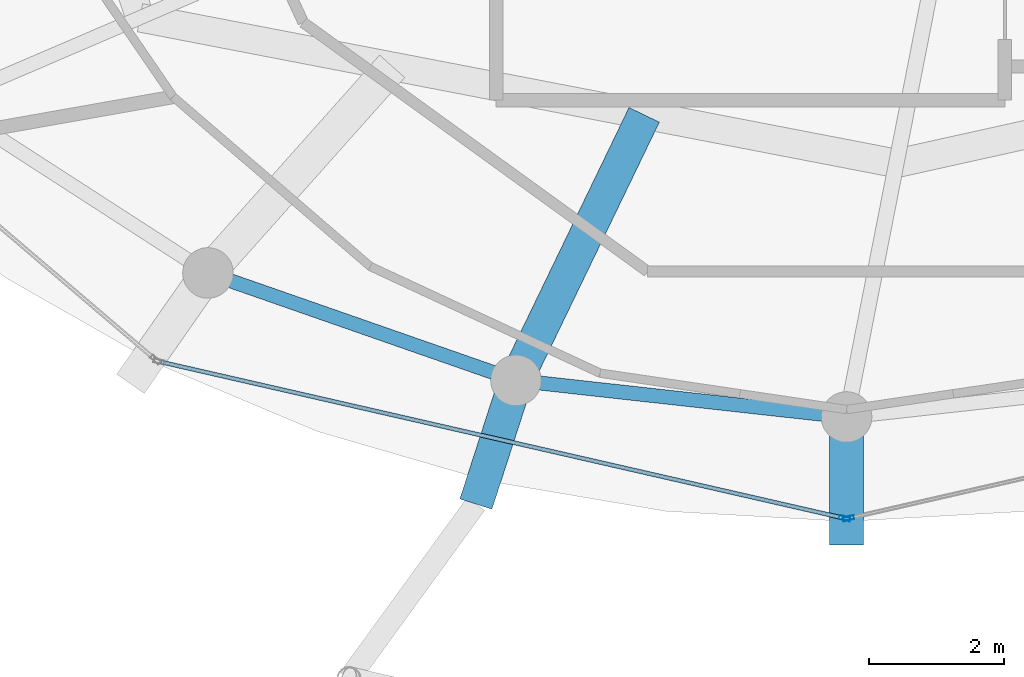
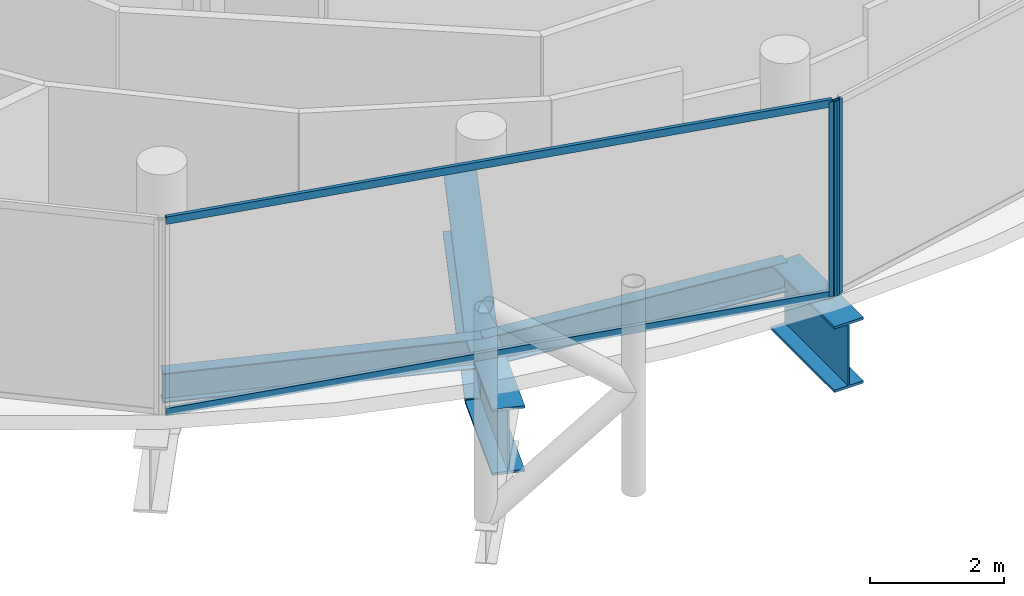
# One storey, part 4 of 25: 5 beams, 4 members, 2 elements without a shape of their own.
"""IFC4 building model written with IfcOpenShell, lengths in metres."""

import ifcopenshell
import ifcopenshell.guid

model = None  # the IFC model being written
_history = None  # IfcOwnerHistory: only IFC2X3 demands one
_inside = {}  # id of a spatial element -> (the spatial element, [elements in it])
_under = {}  # id of a project, library or spatial element -> (it, [spatial elements below it])
_declared = {}  # id of a project -> (the project, [libraries it declares])
_typed = {}  # id of a type object -> (the type object, [elements of that type])
_made_of = {}  # id of a material, layer set ... -> (it, [elements and type objects made of it])


def new_model(schema):
    """Start an empty IFC model of exactly this schema.

    Asked for "IFC4X3", IfcOpenShell would pick the latest addendum, in which some entities
    have other attributes; the version numbers below select the first issue.
    IFC2X3 requires an IfcOwnerHistory on every rooted entity: one is made here for all.
    """
    global model, _history
    if schema == "IFC4X3":
        model = ifcopenshell.file(schema_version=(4, 3, 0, 0))
    else:
        model = ifcopenshell.file(schema=schema)
    _inside.clear()
    _under.clear()
    _declared.clear()
    _typed.clear()
    _made_of.clear()
    _history = None
    if model.schema == "IFC2X3":
        org = make("IfcOrganization", Name="unknown")
        user = make(
            "IfcPersonAndOrganization",
            ThePerson=make("IfcPerson", FamilyName="unknown"),
            TheOrganization=org,
        )
        app = make(
            "IfcApplication",
            ApplicationDeveloper=org,
            Version="unknown",
            ApplicationFullName="unknown",
            ApplicationIdentifier="unknown",
        )
        _history = make(
            "IfcOwnerHistory",
            OwningUser=user,
            OwningApplication=app,
            ChangeAction="ADDED",
            CreationDate=0,
        )
    return model


def make(cls, **values):
    """One entity of the class cls with the attributes given. An attribute that is None is left unset."""
    return model.create_entity(
        cls, **{name: value for name, value in values.items() if value is not None}
    )


def rooted(cls, **values):
    """An entity with a GlobalId (a new one), such as an element, a storey or a relation."""
    return make(cls, GlobalId=ifcopenshell.guid.new(), OwnerHistory=_history, **values)


def si_unit(unit_type, name, prefix=None):
    """IfcSIUnit, for example si_unit("LENGTHUNIT", "METRE", prefix="MILLI")."""
    return make("IfcSIUnit", UnitType=unit_type, Prefix=prefix, Name=name)


def assignment(units):
    """IfcUnitAssignment: the units of a project."""
    return None if units is None else make("IfcUnitAssignment", Units=units)


def point(xyz):
    """IfcCartesianPoint."""
    return None if xyz is None else make("IfcCartesianPoint", Coordinates=xyz)


def direction(xyz):
    """IfcDirection."""
    return None if xyz is None else make("IfcDirection", DirectionRatios=xyz)


def frame(location, z_axis=None, x_axis=None):
    """IfcAxis2Placement3D, a coordinate frame: its origin and axes. An axis left out is left unset."""
    return make(
        "IfcAxis2Placement3D",
        Location=point(location),
        Axis=direction(z_axis),
        RefDirection=direction(x_axis),
    )


def frame_2d(location, x_axis=None):
    """IfcAxis2Placement2D, a coordinate frame in the plane: its origin and x axis."""
    return make(
        "IfcAxis2Placement2D", Location=point(location), RefDirection=direction(x_axis)
    )


def origin():
    """The frame at (0, 0, 0) with its axes left unset."""
    return frame((0.0, 0.0, 0.0))


def origin_2d():
    """The frame at (0, 0) in the plane with its x axis left unset."""
    return frame_2d((0.0, 0.0))


def place(relative_to, where):
    """IfcLocalPlacement: puts the frame where relative to a parent placement (None: the world)."""
    return make(
        "IfcLocalPlacement", PlacementRelTo=relative_to, RelativePlacement=where
    )


def context(
    kind, dimensions, precision=None, world=None, true_north=None, identifier=None
):
    """IfcGeometricRepresentationContext, for example the 3D "Model" context."""
    return make(
        "IfcGeometricRepresentationContext",
        ContextIdentifier=identifier,
        ContextType=kind,
        CoordinateSpaceDimension=dimensions,
        Precision=precision,
        WorldCoordinateSystem=world,
        TrueNorth=true_north,
    )


def subcontext(parent, identifier, kind, view, scale=None):
    """IfcGeometricRepresentationSubContext, for example "Body" below "Model"."""
    return make(
        "IfcGeometricRepresentationSubContext",
        ContextIdentifier=identifier,
        ContextType=kind,
        ParentContext=parent,
        TargetScale=scale,
        TargetView=view,
    )


def project(units=None, contexts=None):
    """IfcProject with its units and contexts."""
    return rooted(
        "IfcProject",
        Name="project",
        RepresentationContexts=contexts,
        UnitsInContext=assignment(units),
    )


def spatial(cls, under=None, at=None, **own):
    """A site, building, storey or space (cls), placed at a placement, below another one or the project."""
    s = rooted(cls, ObjectPlacement=at, **own)
    if under is not None:
        _under.setdefault(under.id(), (under, []))[1].append(s)
    return s


def profile(cls, at=None, kind="AREA", **sizes):
    """A parametric profile (cls). Its sizes go by their IFC names, for example OverallWidth=200.0."""
    return make(cls, ProfileType=kind, Position=at, **sizes)


def hollow_rectangle(**sizes):
    """IfcRectangleHollowProfileDef."""
    return profile("IfcRectangleHollowProfileDef", **sizes)


def i_section(**sizes):
    """IfcIShapeProfileDef."""
    return profile("IfcIShapeProfileDef", **sizes)


def extrude(swept, where, along, depth):
    """IfcExtrudedAreaSolid: the profile swept, set in the frame where, extruded along a direction by depth."""
    return make(
        "IfcExtrudedAreaSolid",
        SweptArea=swept,
        Position=where,
        ExtrudedDirection=direction(along),
        Depth=depth,
    )


def shape(context_of_items, identifier, shape_type, items):
    """IfcShapeRepresentation: the items that make up one representation, for example the "Body"."""
    return make(
        "IfcShapeRepresentation",
        ContextOfItems=context_of_items,
        RepresentationIdentifier=identifier,
        RepresentationType=shape_type,
        Items=items,
    )


def material(Name=None, Category=None):
    """IfcMaterial."""
    return make("IfcMaterial", Name=Name, Category=Category)


def layer(
    of_material, thickness, ventilated=None, Name=None, Category=None, Priority=None
):
    """IfcMaterialLayer: one layer of a wall or slab, of a material (None: an air gap)."""
    return make(
        "IfcMaterialLayer",
        Material=of_material,
        LayerThickness=thickness,
        IsVentilated=ventilated,
        Name=Name,
        Category=Category,
        Priority=Priority,
    )


def layer_set(layers, Name=None):
    """IfcMaterialLayerSet."""
    return make("IfcMaterialLayerSet", MaterialLayers=layers, LayerSetName=Name)


def material_profile(
    of_material, cross_section, Name=None, Category=None, Priority=None
):
    """IfcMaterialProfile: a cross section and its material."""
    return make(
        "IfcMaterialProfile",
        Name=Name,
        Material=of_material,
        Profile=cross_section,
        Priority=Priority,
        Category=Category,
    )


def profile_set(profiles, Name=None, composite=None):
    """IfcMaterialProfileSet."""
    return make(
        "IfcMaterialProfileSet",
        Name=Name,
        MaterialProfiles=profiles,
        CompositeProfile=composite,
    )


def made_of(thing, what):
    """Note that an element or type object is made of a material, layer set ...; save() writes the relation."""
    if what is not None:
        _made_of.setdefault(what.id(), (what, []))[1].append(thing)
    return thing


def type_object(cls, material=None, **own):
    """A type object (cls), such as IfcWallType, which elements share."""
    return made_of(rooted(cls, **own), material)


def element(
    cls,
    number,
    at=None,
    inside=None,
    cuts=None,
    type_object=None,
    material=None,
    context=None,
    identifier="Body",
    shape_type=None,
    held_by="IfcProductDefinitionShape",
    body=None,
    shapes=None,
    **own,
):
    """One element of the class cls, such as IfcWall. Its Tag is "e" and its number.

    at: its placement. inside: the storey or other place that contains it. cuts: it is an
    opening in that element (IfcRelVoidsElement). A single representation is given by context,
    identifier, shape_type and body (its items); several are given by shapes. held_by: the class
    of the entity that holds the representations. save() writes the other relations.
    """
    e = rooted(cls, Tag="e%d" % number, ObjectPlacement=at, **own)
    if body is not None:
        shapes = [shape(context, identifier, shape_type, body)]
    if shapes is not None:
        e.Representation = make(held_by, Representations=shapes)
    if inside is not None:
        _inside.setdefault(inside.id(), (inside, []))[1].append(e)
    if cuts is not None:
        rooted(
            "IfcRelVoidsElement", RelatingBuildingElement=cuts, RelatedOpeningElement=e
        )
    if type_object is not None:
        _typed.setdefault(type_object.id(), (type_object, []))[1].append(e)
    return made_of(e, material)


def aggregate(whole, parts):
    """IfcRelAggregates: a whole, such as a stair, and the parts it consists of."""
    return rooted("IfcRelAggregates", RelatingObject=whole, RelatedObjects=parts)


def save(model, path):
    """Write the relations noted so far, then the file.

    IfcRelAggregates (storeys below a building ...), IfcRelContainedInSpatialStructure (elements
    in a storey), IfcRelDefinesByType, IfcRelAssociatesMaterial and IfcRelDeclares: one each for
    every whole, place, type object, material and project.
    """
    for whole, parts in _under.values():
        aggregate(whole, parts)
    for where, things in _inside.values():
        rooted(
            "IfcRelContainedInSpatialStructure",
            RelatedElements=things,
            RelatingStructure=where,
        )
    for kind, things in _typed.values():
        rooted("IfcRelDefinesByType", RelatedObjects=things, RelatingType=kind)
    for what, things in _made_of.values():
        rooted("IfcRelAssociatesMaterial", RelatedObjects=things, RelatingMaterial=what)
    for by, libraries in _declared.values():
        rooted("IfcRelDeclares", RelatingContext=by, RelatedDefinitions=libraries)
    model.write(path)


model = new_model("IFC4")

# Units and contexts
model_context = context("Model", 3, precision=1e-05, world=origin(), true_north=direction((0.0, 1.0)))
body_context = subcontext(model_context, "Body", "Model", "MODEL_VIEW")
ifc_project = project(units=[si_unit("LENGTHUNIT", "METRE"), si_unit("AREAUNIT", "SQUARE_METRE"), si_unit("VOLUMEUNIT", "CUBIC_METRE"), si_unit("PLANEANGLEUNIT", "RADIAN"), si_unit("MASSUNIT", "GRAM", prefix="KILO")], contexts=[model_context])

# Site, building, storey
site_placement = place(None, origin())
site = spatial("IfcSite", under=ifc_project, at=site_placement, CompositionType="ELEMENT")
building_placement = place(site_placement, origin())
building = spatial("IfcBuilding", under=site, at=building_placement, Name="Nuhasar Tower", CompositionType="ELEMENT")
storey_placement = place(building_placement, frame((0.0, 0.0, 255.60009765625)))
storey = spatial("IfcBuildingStorey", under=building, at=storey_placement, Name="L63", CompositionType="ELEMENT", Elevation=255.60009765625)

# Beams
ifc_material_1 = material(Name="Steel S355", Category="steel")
ifc_material_profile_1 = material_profile(ifc_material_1, i_section(OverallWidth=0.2099609375, OverallDepth=0.537109375, WebThickness=0.010986328125, FlangeThickness=0.017333984375, at=origin_2d()), Name="W21X68")
ifc_profile_set_1 = profile_set([ifc_material_profile_1], Name="Steel S355")
beam_type_1 = type_object("IfcBeamType", Name="BM-RING-W21X68", PredefinedType="SPANDREL", material=ifc_profile_set_1)
beam_1_placement = place(storey_placement, frame((29.52490234375, 12.987060546875, -0.528076171875), z_axis=(0.944214043504, -0.329332415729, 0.0), x_axis=(0.329332415729, 0.944214043504, 0.0)))
element("IfcBeam", 1, at=beam_1_placement, inside=storey, type_object=beam_type_1, Name="L63 Perimeter Ring Spandrel 17", PredefinedType="SPANDREL", context=body_context, shape_type="SweptSolid", body=[
    extrude(i_section(OverallWidth=0.2099609375, OverallDepth=0.537109375, WebThickness=0.010986328125, FlangeThickness=0.017333984375, at=origin_2d()), origin(), (0.0, 0.0, 1.0), 4.840087890625),
])
beam_2_placement = place(storey_placement, frame((34.094970703125, 11.39306640625, -0.528076171875), z_axis=(0.99392889943, -0.110024283128, 0.0), x_axis=(0.110024283128, 0.99392889943, 0.0)))
element("IfcBeam", 2, at=beam_2_placement, inside=storey, type_object=beam_type_1, Name="L63 Perimeter Ring Spandrel 18", PredefinedType="SPANDREL", context=body_context, shape_type="SweptSolid", body=[
    extrude(i_section(OverallWidth=0.2099609375, OverallDepth=0.537109375, WebThickness=0.010986328125, FlangeThickness=0.017333984375, at=origin_2d()), origin(), (0.0, 0.0, 1.0), 4.93505859375),
])
ifc_material_2 = material(Name="Steel S460", Category="steel")
ifc_material_profile_2 = material_profile(ifc_material_2, i_section(OverallWidth=0.5, OverallDepth=1.199951171875, WebThickness=0.02587890625, FlangeThickness=0.044921875, at=origin_2d()), Name="PG1200X500")
ifc_profile_set_2 = profile_set([ifc_material_profile_2], Name="Steel S460")
beam_type_2 = type_object("IfcBeamType", Name="BM-XFER-PG1200", PredefinedType="USERDEFINED", material=ifc_profile_set_2)
beam_3_placement = place(storey_placement, frame((39.0, 10.85009765625, -0.860107421875), z_axis=(0.0, -1.0, 0.0), x_axis=(1.0, 0.0, 0.0)))
element("IfcBeam", 3, at=beam_3_placement, inside=storey, type_object=beam_type_2, Name="L63 Radial Step Transfer Girder 02", ObjectType="GIRDER", PredefinedType="USERDEFINED", context=body_context, shape_type="SweptSolid", body=[
    extrude(i_section(OverallWidth=0.5, OverallDepth=1.199951171875, WebThickness=0.02587890625, FlangeThickness=0.044921875, at=origin_2d()), origin(), (0.0, 0.0, 1.0), 1.900146484375),
])
beam_4_placement = place(storey_placement, frame((35.9970703125, 15.3330078125, -0.860107421875), z_axis=(-0.434759989597, -0.900546362741, 0.0), x_axis=(0.900546362741, -0.434759989597, 0.0)))
element("IfcBeam", 4, at=beam_4_placement, inside=storey, type_object=beam_type_2, Name="L63 Inner Column Transfer Girder 18", ObjectType="GIRDER", PredefinedType="USERDEFINED", context=body_context, shape_type="SweptSolid", body=[
    extrude(i_section(OverallWidth=0.5, OverallDepth=1.199951171875, WebThickness=0.02587890625, FlangeThickness=0.044921875, at=origin_2d()), origin(), (0.0, 0.0, 1.0), 4.375),
])
beam_5_placement = place(storey_placement, frame((34.094970703125, 11.39306640625, -0.860107421875), z_axis=(-0.308433510834, -0.951245903746, 0.0), x_axis=(0.951245903746, -0.308433510834, 0.0)))
element("IfcBeam", 5, at=beam_5_placement, inside=storey, type_object=beam_type_2, Name="L63 Outer Column Step Transfer Girder 18", ObjectType="GIRDER", PredefinedType="USERDEFINED", context=body_context, shape_type="SweptSolid", body=[
    extrude(i_section(OverallWidth=0.5, OverallDepth=1.199951171875, WebThickness=0.02587890625, FlangeThickness=0.044921875, at=origin_2d()), origin(), (0.0, 0.0, 1.0), 1.928955078125),
])

# Curtain wall, member
ifc_material_3 = material(Name="Aluminium 6063-T6", Category="aluminium")
ifc_layer = layer(ifc_material_3, 0.18994140625)
ifc_layer_set = layer_set([ifc_layer], Name="Aluminium 6063-T6")
curtain_wall_type = type_object("IfcCurtainWallType", Name="CW-Z4-PEN", PredefinedType="NOTDEFINED", material=ifc_layer_set)
curtain_wall_1_placement = place(storey_placement, origin())
curtain_wall_1 = element("IfcCurtainWall", 6, at=curtain_wall_1_placement, inside=storey, type_object=curtain_wall_type, Name="L63 Unitised Curtain Wall 09", PredefinedType="NOTDEFINED")
ifc_material_profile_3 = material_profile(ifc_material_3, hollow_rectangle(XDim=0.06005859375, YDim=0.1650390625, WallThickness=0.0048828125, at=origin_2d()), Name="CWM-5")
ifc_profile_set_3 = profile_set([ifc_material_profile_3], Name="Aluminium 6063-T6")
member_type_1 = type_object("IfcMemberType", Name="CW-MUL-S5", PredefinedType="MULLION", material=ifc_profile_set_3)
member_1_placement = place(storey_placement, frame((38.970703125, 9.3466796875, 0.0), z_axis=(0.0, 0.0, 1.0), x_axis=(0.222889487645, 0.97484371891, 0.0)))
member_1 = element("IfcMember", 7, at=member_1_placement, type_object=member_type_1, Name="CW-Z4 mullion 2", PredefinedType="MULLION", context=body_context, shape_type="SweptSolid", body=[
    extrude(hollow_rectangle(XDim=0.06005859375, YDim=0.1650390625, WallThickness=0.0048828125, at=origin_2d()), origin(), (0.0, 0.0, 1.0), 3.539794921875),
])

curtain_wall_2_placement = place(storey_placement, origin())
curtain_wall_2 = element("IfcCurtainWall", 8, at=curtain_wall_2_placement, inside=storey, type_object=curtain_wall_type, Name="L63 Unitised Curtain Wall 10", PredefinedType="NOTDEFINED")
member_2_placement = place(storey_placement, frame((39.029296875, 9.3466796875, 0.0), z_axis=(0.0, 0.0, 1.0), x_axis=(-0.222889487645, 0.97484371891, 0.0)))
member_2 = element("IfcMember", 9, at=member_2_placement, type_object=member_type_1, Name="CW-Z4 mullion 1", PredefinedType="MULLION", context=body_context, shape_type="SweptSolid", body=[
    extrude(hollow_rectangle(XDim=0.06005859375, YDim=0.1650390625, WallThickness=0.0048828125, at=origin_2d()), origin(), (0.0, 0.0, 1.0), 3.539794921875),
])
aggregate(curtain_wall_2, [member_2])

# Member
ifc_material_profile_4 = material_profile(ifc_material_3, hollow_rectangle(XDim=0.06005859375, YDim=0.135009765625, WallThickness=0.00439453125, at=origin_2d()), Name="CWT-5")
ifc_profile_set_4 = profile_set([ifc_material_profile_4], Name="Aluminium 6063-T6")
member_type_2 = type_object("IfcMemberType", Name="CW-TRN-S5", PredefinedType="USERDEFINED", material=ifc_profile_set_4)
member_3_placement = place(storey_placement, frame((28.828369140625, 11.66552734375, 0.02978515625), z_axis=(0.974843752401, -0.222889341163, 0.0), x_axis=(0.222889341163, 0.974843752401, 0.0)))
member_3 = element("IfcMember", 10, at=member_3_placement, type_object=member_type_2, Name="CW-Z4 transom 1.1", ObjectType="TRANSOM", PredefinedType="USERDEFINED", context=body_context, shape_type="SweptSolid", body=[
    extrude(hollow_rectangle(XDim=0.06005859375, YDim=0.135009765625, WallThickness=0.00439453125, at=origin_2d()), origin(), (0.0, 0.0, 1.0), 10.3740234375),
])

member_4_placement = place(storey_placement, frame((28.828369140625, 11.66552734375, 3.510009765625), z_axis=(0.974843752401, -0.222889341163, 0.0), x_axis=(0.222889341163, 0.974843752401, 0.0)))
member_4 = element("IfcMember", 11, at=member_4_placement, type_object=member_type_2, Name="CW-Z4 transom 1.2", ObjectType="TRANSOM", PredefinedType="USERDEFINED", context=body_context, shape_type="SweptSolid", body=[
    extrude(hollow_rectangle(XDim=0.06005859375, YDim=0.135009765625, WallThickness=0.00439453125, at=origin_2d()), origin(), (0.0, 0.0, 1.0), 10.3740234375),
])

aggregate(curtain_wall_1, [member_1, member_3, member_4])

save(model, "model.ifc")
